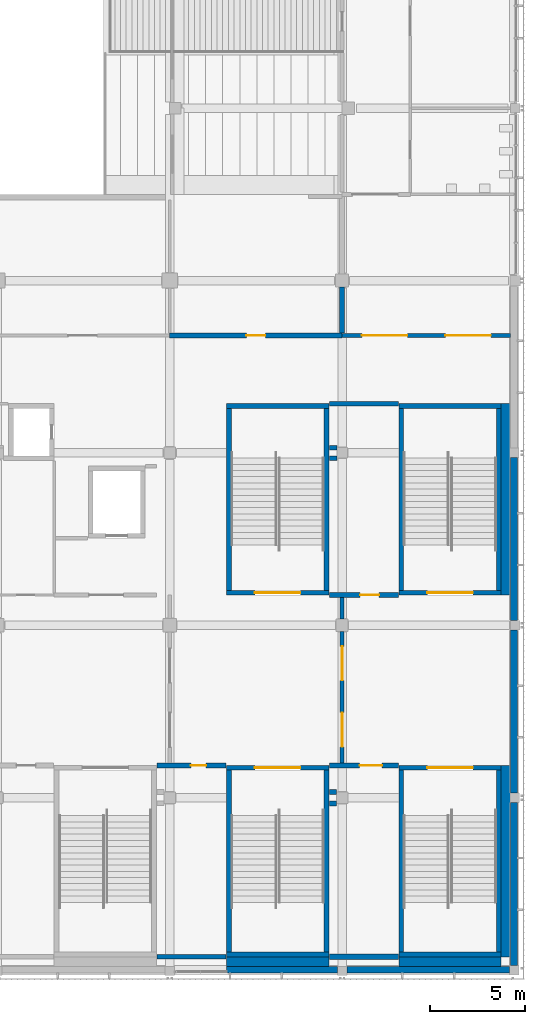
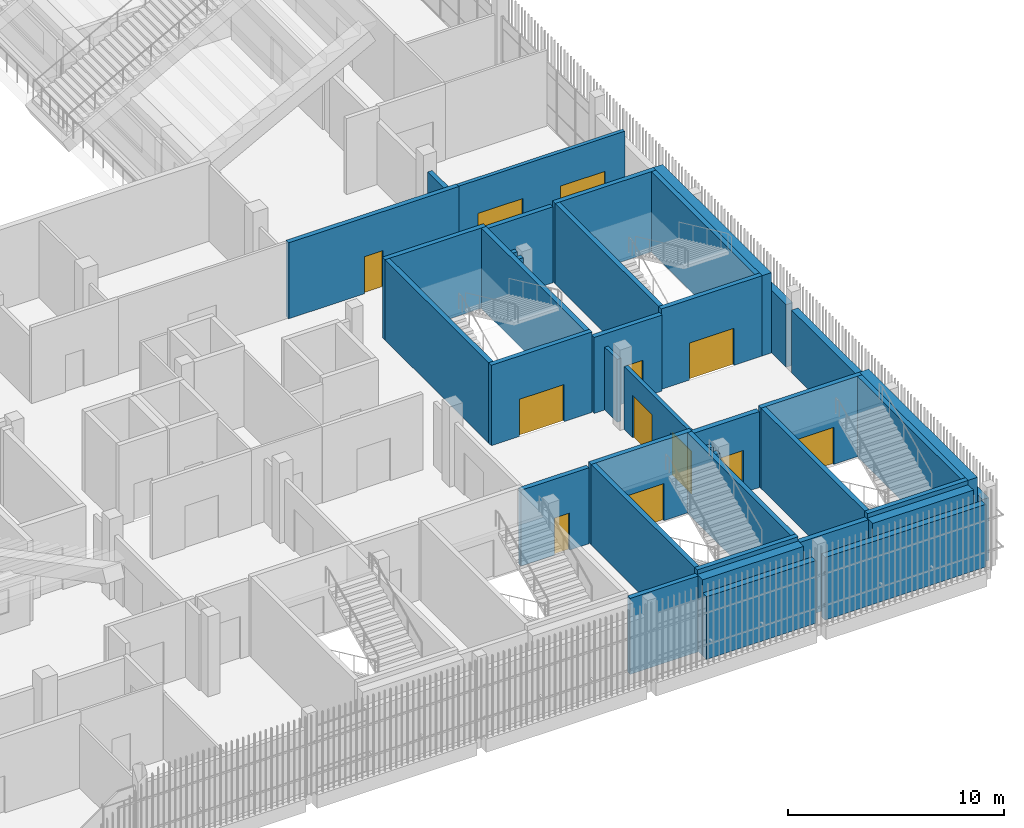
# One storey, part 89 of 139: 40 walls, 12 doors, 12 openings.
"""IFC4 building model written with IfcOpenShell, lengths in metres."""

from ifc_helpers import new_model, si_unit, direction, frame, frame_2d, origin, place, context, subcontext, project, spatial, rectangle, extrude, material, layer, layer_set, type_object, element, fill, save


model = new_model("IFC4")

# Units and contexts
model_context = context("Model", 3, precision=1e-05, world=origin(), true_north=direction((0.0, 1.0)))
body_context = subcontext(model_context, "Body", "Model", "MODEL_VIEW")
ifc_project = project(units=[si_unit("LENGTHUNIT", "METRE"), si_unit("AREAUNIT", "SQUARE_METRE"), si_unit("VOLUMEUNIT", "CUBIC_METRE"), si_unit("PLANEANGLEUNIT", "RADIAN"), si_unit("MASSUNIT", "GRAM", prefix="KILO")], contexts=[model_context])

# Site, building, storey
site_placement = place(None, origin())
site = spatial("IfcSite", under=ifc_project, at=site_placement, CompositionType="ELEMENT")
building_placement = place(site_placement, origin())
building = spatial("IfcBuilding", under=site, at=building_placement, Name="Shirokan Park Arena", CompositionType="ELEMENT")
storey_placement = place(building_placement, frame((0.0, 0.0, 15.469970703125)))
storey = spatial("IfcBuildingStorey", under=building, at=storey_placement, Name="L03", CompositionType="ELEMENT", Elevation=15.469970703125)

# Wall, opening, door
ifc_material_1 = material(Name="Plaster")
ifc_layer_1 = layer(ifc_material_1, 0.014892578125, Name="Plaster")
ifc_material_2 = material(Name="Concrete blockwork", Category="masonry")
ifc_layer_2 = layer(ifc_material_2, 0.219970703125, Name="Concrete blockwork 220")
ifc_layer_3 = layer(ifc_material_1, 0.014892578125, Name="Plaster")
ifc_layer_set_1 = layer_set([ifc_layer_1, ifc_layer_2, ifc_layer_3], Name="Plaster + Concrete blockwork 220")
wall_type_1 = type_object("IfcWallType", Name="Compartment wall 250", PredefinedType="SOLIDWALL", material=ifc_layer_set_1)
wall_1_placement = place(storey_placement, frame((126.72998046875, 10.800048828125, 0.0), z_axis=(0.0, 0.0, 1.0), x_axis=(1.0, 0.0, 0.0)))
wall_1 = element("IfcWall", 1, at=wall_1_placement, inside=storey, type_object=wall_type_1, Name="Compartment wall 250 L03", PredefinedType="SOLIDWALL", context=body_context, shape_type="SweptSolid", body=[
    extrude(rectangle(XDim=3.64013671875, YDim=0.25, at=frame_2d((1.820068359375, 0.0))), origin(), (0.0, 0.0, 1.0), 4.300048828125),
])
opening_1_placement = place(wall_1_placement, frame((1.7900390625, 0.0, 0.0)))
opening_1 = element("IfcOpeningElement", 2, at=opening_1_placement, cuts=wall_1, Name="Opening D-3017", PredefinedType="OPENING", context=body_context, shape_type="SweptSolid", body=[
    extrude(rectangle(XDim=0.800048828125, YDim=2.10009765625, at=frame_2d((0.39990234375, 1.050048828125))), frame((0.0, 0.135009765625, 0.0), z_axis=(0.0, -1.0, 0.0), x_axis=(1.0, 0.0, 0.0)), (0.0, 0.0, 1.0), 0.27001953125),
])
ifc_material_3 = material(Name="Timber door set, fire resisting", Category="wood")
door_type_1 = type_object("IfcDoorType", Name="Cleaner store door 800 x 2100", OperationType="SINGLE_SWING_LEFT", PredefinedType="DOOR", material=ifc_material_3)
door_1_placement = place(opening_1_placement, origin())
door_1 = element("IfcDoor", 3, at=door_1_placement, inside=storey, type_object=door_type_1, Name="Door to Cleaner's Store 3.21 D-3017", OperationType="SINGLE_SWING_RIGHT", OverallHeight=2.10009765625, OverallWidth=0.800048828125, PredefinedType="DOOR", context=body_context, shape_type="SweptSolid", body=[
    extrude(rectangle(XDim=0.800048828125, YDim=2.10009765625, at=frame_2d((0.39990234375, 1.050048828125))), frame((0.0, 0.02490234375, 0.0), z_axis=(0.0, -1.0, 0.0), x_axis=(1.0, 0.0, 0.0)), (0.0, 0.0, 1.0), 0.050048828125),
])
fill(opening_1, door_1)

# Wall
wall_2_placement = place(storey_placement, frame((130.3701171875, 0.699951171875, 0.0), z_axis=(0.0, 0.0, 1.0), x_axis=(-1.0, 0.0, 0.0)))
element("IfcWall", 4, at=wall_2_placement, inside=storey, type_object=wall_type_1, Name="Compartment wall 250 L03", PredefinedType="SOLIDWALL", context=body_context, shape_type="SweptSolid", body=[
    extrude(rectangle(XDim=3.64013671875, YDim=0.25, at=frame_2d((1.820068359375, 0.0))), origin(), (0.0, 0.0, 1.0), 4.300048828125),
])

# Wall, opening, door
wall_3_placement = place(storey_placement, frame((135.830078125, 19.800048828125, 0.0), z_axis=(0.0, 0.0, 1.0), x_axis=(1.0, 0.0, 0.0)))
wall_3 = element("IfcWall", 5, at=wall_3_placement, inside=storey, type_object=wall_type_1, Name="Compartment wall 250 L03", PredefinedType="SOLIDWALL", context=body_context, shape_type="SweptSolid", body=[
    extrude(rectangle(XDim=3.639892578125, YDim=0.25, at=frame_2d((1.81982421875, 0.0))), origin(), (0.0, 0.0, 1.0), 4.300048828125),
])
opening_2_placement = place(wall_3_placement, frame((1.6201171875, 0.0, 0.0)))
opening_2 = element("IfcOpeningElement", 6, at=opening_2_placement, cuts=wall_3, Name="Opening D-3013", PredefinedType="OPENING", context=body_context, shape_type="SweptSolid", body=[
    extrude(rectangle(XDim=1.0, YDim=2.10009765625, at=frame_2d((0.5, 1.050048828125))), frame((0.0, 0.135009765625, 0.0), z_axis=(0.0, -1.0, 0.0), x_axis=(1.0, 0.0, 0.0)), (0.0, 0.0, 1.0), 0.27001953125),
])
door_type_2 = type_object("IfcDoorType", Name="Door 1000 x 2100", OperationType="SINGLE_SWING_LEFT", PredefinedType="DOOR", material=ifc_material_3)
door_2_placement = place(opening_2_placement, origin())
door_2 = element("IfcDoor", 7, at=door_2_placement, inside=storey, type_object=door_type_2, Name="Door to Suite Store 3.27 D-3013", OperationType="SINGLE_SWING_RIGHT", OverallHeight=2.10009765625, OverallWidth=1.0, PredefinedType="DOOR", context=body_context, shape_type="SweptSolid", body=[
    extrude(rectangle(XDim=1.0, YDim=2.10009765625, at=frame_2d((0.5, 1.050048828125))), frame((0.0, 0.02490234375, 0.0), z_axis=(0.0, -1.0, 0.0), x_axis=(1.0, 0.0, 0.0)), (0.0, 0.0, 1.0), 0.050048828125),
])
fill(opening_2, door_2)

# Walls
wall_4_placement = place(storey_placement, frame((135.830078125, 27.02490234375, 0.0), z_axis=(0.0, 0.0, 1.0), x_axis=(1.0, 0.0, 0.0)))
element("IfcWall", 8, at=wall_4_placement, inside=storey, type_object=wall_type_1, Name="Compartment wall 250 L03", PredefinedType="SOLIDWALL", context=body_context, shape_type="SweptSolid", body=[
    extrude(rectangle(XDim=0.39501953125, YDim=0.25, at=frame_2d((0.197509765625, 0.0))), origin(), (0.0, 0.0, 1.0), 4.300048828125),
])
wall_5_placement = place(storey_placement, frame((135.830078125, 29.89990234375, 0.0), z_axis=(0.0, 0.0, 1.0), x_axis=(1.0, 0.0, 0.0)))
element("IfcWall", 9, at=wall_5_placement, inside=storey, type_object=wall_type_1, Name="Compartment wall 250 L03", PredefinedType="SOLIDWALL", context=body_context, shape_type="SweptSolid", body=[
    extrude(rectangle(XDim=3.639892578125, YDim=0.25, at=frame_2d((1.81982421875, 0.0))), origin(), (0.0, 0.0, 1.0), 4.300048828125),
])
wall_6_placement = place(storey_placement, frame((136.22509765625, 27.574951171875, 0.0), z_axis=(0.0, 0.0, 1.0), x_axis=(-1.0, 0.0, 0.0)))
element("IfcWall", 10, at=wall_6_placement, inside=storey, type_object=wall_type_1, Name="Compartment wall 250 L03", PredefinedType="SOLIDWALL", context=body_context, shape_type="SweptSolid", body=[
    extrude(rectangle(XDim=0.39501953125, YDim=0.25, at=frame_2d((0.197509765625, 0.0))), origin(), (0.0, 0.0, 1.0), 4.300048828125),
])

# Wall, opening, door
wall_7_placement = place(storey_placement, frame((136.5, 33.5, 0.0), z_axis=(0.0, 0.0, 1.0), x_axis=(-1.0, 0.0, 0.0)))
wall_7 = element("IfcWall", 11, at=wall_7_placement, inside=storey, type_object=wall_type_1, Name="Compartment wall 250 L03", PredefinedType="SOLIDWALL", context=body_context, shape_type="SweptSolid", body=[
    extrude(rectangle(XDim=9.10009765625, YDim=0.25, at=frame_2d((4.550048828125, 0.0))), origin(), (0.0, 0.0, 1.0), 4.300048828125),
])
opening_3_placement = place(wall_7_placement, frame((4.050048828125, 0.0, 0.0)))
opening_3 = element("IfcOpeningElement", 12, at=opening_3_placement, cuts=wall_7, Name="Opening D-3019", PredefinedType="OPENING", context=body_context, shape_type="SweptSolid", body=[
    extrude(rectangle(XDim=1.0, YDim=2.10009765625, at=frame_2d((0.5, 1.050048828125))), frame((0.0, 0.135009765625, 0.0), z_axis=(0.0, -1.0, 0.0), x_axis=(1.0, 0.0, 0.0)), (0.0, 0.0, 1.0), 0.27001953125),
])
door_3_placement = place(opening_3_placement, origin())
door_3 = element("IfcDoor", 13, at=door_3_placement, inside=storey, type_object=door_type_2, Name="Door to Suite Beverage Store 3.21 D-3019", OperationType="SINGLE_SWING_RIGHT", OverallHeight=2.10009765625, OverallWidth=1.0, PredefinedType="DOOR", context=body_context, shape_type="SweptSolid", body=[
    extrude(rectangle(XDim=1.0, YDim=2.10009765625, at=frame_2d((0.5, 1.050048828125))), frame((0.0, 0.02490234375, 0.0), z_axis=(0.0, -1.0, 0.0), x_axis=(1.0, 0.0, 0.0)), (0.0, 0.0, 1.0), 0.050048828125),
])
fill(opening_3, door_3)

# Wall
wall_8_placement = place(storey_placement, frame((136.5, 36.050048828125, 0.0), z_axis=(0.0, 0.0, 1.0), x_axis=(0.0, -1.0, 0.0)))
element("IfcWall", 14, at=wall_8_placement, inside=storey, type_object=wall_type_1, Name="Compartment wall 250 L03", PredefinedType="SOLIDWALL", context=body_context, shape_type="SweptSolid", body=[
    extrude(rectangle(XDim=2.425048828125, YDim=0.25, at=frame_2d((1.21240234375, 0.0))), origin(), (0.0, 0.0, 1.0), 3.550048828125),
])

# Wall, openings, doors
ifc_material_4 = material(Name="Gypsum board")
ifc_layer_4 = layer(ifc_material_4, 0.02490234375, Name="Gypsum board, two layers")
ifc_material_5 = material(Name="Mineral wool insulation")
ifc_layer_5 = layer(ifc_material_5, 0.14990234375, Name="Mineral wool insulation")
ifc_layer_6 = layer(ifc_material_4, 0.02490234375, Name="Gypsum board, two layers")
ifc_layer_set_2 = layer_set([ifc_layer_4, ifc_layer_5, ifc_layer_6], Name="Gypsum board, two layers + Mineral wool insulation")
wall_type_2 = type_object("IfcWallType", Name="Corridor wall 200", PredefinedType="PARTITIONING", material=ifc_layer_set_2)
wall_9_placement = place(storey_placement, frame((136.5, 10.9375, 0.0), z_axis=(0.0, 0.0, 1.0), x_axis=(0.0, 1.0, 0.0)))
wall_9 = element("IfcWall", 15, at=wall_9_placement, inside=storey, type_object=wall_type_2, Name="Corridor wall 200 L03", PredefinedType="PARTITIONING", context=body_context, shape_type="SweptSolid", body=[
    extrude(rectangle(XDim=6.9375, YDim=0.199951171875, at=frame_2d((3.46875, 0.0))), origin(), (0.0, 0.0, 1.0), 3.550048828125),
])
opening_4_placement = place(wall_9_placement, frame((0.85009765625, 0.0, 0.0)))
opening_4 = element("IfcOpeningElement", 16, at=opening_4_placement, cuts=wall_9, Name="Opening D-3098", PredefinedType="OPENING", context=body_context, shape_type="SweptSolid", body=[
    extrude(rectangle(XDim=1.800048828125, YDim=2.39990234375, at=frame_2d((0.89990234375, 1.199951171875))), frame((0.0, 0.10986328125, 0.0), z_axis=(0.0, -1.0, 0.0), x_axis=(1.0, 0.0, 0.0)), (0.0, 0.0, 1.0), 0.219970703125),
])
opening_5_placement = place(wall_9_placement, frame((4.35009765625, 0.0, 0.0)))
opening_5 = element("IfcOpeningElement", 17, at=opening_5_placement, cuts=wall_9, Name="Opening D-3099", PredefinedType="OPENING", context=body_context, shape_type="SweptSolid", body=[
    extrude(rectangle(XDim=1.800048828125, YDim=2.39990234375, at=frame_2d((0.89990234375, 1.199951171875))), frame((0.0, 0.10986328125, 0.0), z_axis=(0.0, -1.0, 0.0), x_axis=(1.0, 0.0, 0.0)), (0.0, 0.0, 1.0), 0.219970703125),
])
ifc_material_6 = material(Name="Glazed steel door set, fire resisting", Category="steel")
door_type_3 = type_object("IfcDoorType", Name="Lift lobby door 1800 x 2400", OperationType="DOUBLE_DOOR_SINGLE_SWING", PredefinedType="DOOR", material=ifc_material_6)
door_4_placement = place(opening_4_placement, origin())
door_4 = element("IfcDoor", 18, at=door_4_placement, inside=storey, type_object=door_type_3, Name="Door between Press Foyer 2.3.1 and Suite Lobby 2.3.2 D-3098", OperationType="DOUBLE_DOOR_SINGLE_SWING", OverallHeight=2.39990234375, OverallWidth=1.800048828125, PredefinedType="DOOR", context=body_context, shape_type="SweptSolid", body=[
    extrude(rectangle(XDim=1.800048828125, YDim=2.39990234375, at=frame_2d((0.89990234375, 1.199951171875))), frame((0.0, 0.02490234375, 0.0), z_axis=(0.0, -1.0, 0.0), x_axis=(1.0, 0.0, 0.0)), (0.0, 0.0, 1.0), 0.050048828125),
])
fill(opening_4, door_4)
door_5_placement = place(opening_5_placement, origin())
door_5 = element("IfcDoor", 19, at=door_5_placement, inside=storey, type_object=door_type_3, Name="Door between Press Foyer 2.3.1 and Suite Lobby 2.3.2 D-3099", OperationType="DOUBLE_DOOR_SINGLE_SWING", OverallHeight=2.39990234375, OverallWidth=1.800048828125, PredefinedType="DOOR", context=body_context, shape_type="SweptSolid", body=[
    extrude(rectangle(XDim=1.800048828125, YDim=2.39990234375, at=frame_2d((0.89990234375, 1.199951171875))), frame((0.0, 0.02490234375, 0.0), z_axis=(0.0, -1.0, 0.0), x_axis=(1.0, 0.0, 0.0)), (0.0, 0.0, 1.0), 0.050048828125),
])
fill(opening_5, door_5)

# Wall
wall_10_placement = place(storey_placement, frame((136.5, 18.52490234375, 0.0), z_axis=(0.0, 0.0, 1.0), x_axis=(0.0, 1.0, 0.0)))
element("IfcWall", 20, at=wall_10_placement, inside=storey, type_object=wall_type_2, Name="Corridor wall 200 L03", PredefinedType="PARTITIONING", context=body_context, shape_type="SweptSolid", body=[
    extrude(rectangle(XDim=1.150146484375, YDim=0.199951171875, at=frame_2d((0.5751953125, 0.0))), origin(), (0.0, 0.0, 1.0), 3.550048828125),
])

# Wall, openings, doors
wall_11_placement = place(storey_placement, frame((136.5, 33.5, 0.0), z_axis=(0.0, 0.0, 1.0), x_axis=(1.0, 0.0, 0.0)))
wall_11 = element("IfcWall", 21, at=wall_11_placement, inside=storey, type_object=wall_type_2, Name="Corridor wall 200 L03", PredefinedType="PARTITIONING", context=body_context, shape_type="SweptSolid", body=[
    extrude(rectangle(XDim=8.89990234375, YDim=0.199951171875, at=frame_2d((4.449951171875, 0.0))), origin(), (0.0, 0.0, 1.0), 4.300048828125),
])
opening_6_placement = place(wall_11_placement, frame((1.050048828125, 0.0, 0.0)))
opening_6 = element("IfcOpeningElement", 22, at=opening_6_placement, cuts=wall_11, Name="Opening D-3096", PredefinedType="OPENING", context=body_context, shape_type="SweptSolid", body=[
    extrude(rectangle(XDim=2.39990234375, YDim=2.39990234375, at=frame_2d((1.199951171875, 1.199951171875))), frame((0.0, 0.10986328125, 0.0), z_axis=(0.0, -1.0, 0.0), x_axis=(1.0, 0.0, 0.0)), (0.0, 0.0, 1.0), 0.219970703125),
])
opening_7_placement = place(wall_11_placement, frame((5.449951171875, 0.0, 0.0)))
opening_7 = element("IfcOpeningElement", 23, at=opening_7_placement, cuts=wall_11, Name="Opening D-3097", PredefinedType="OPENING", context=body_context, shape_type="SweptSolid", body=[
    extrude(rectangle(XDim=2.39990234375, YDim=2.39990234375, at=frame_2d((1.199951171875, 1.199951171875))), frame((0.0, 0.10986328125, 0.0), z_axis=(0.0, -1.0, 0.0), x_axis=(1.0, 0.0, 0.0)), (0.0, 0.0, 1.0), 0.219970703125),
])
ifc_material_7 = material(Name="Steel door set, fire resisting", Category="steel")
door_type_4 = type_object("IfcDoorType", Name="Double door 2400 x 2400", OperationType="DOUBLE_DOOR_SINGLE_SWING", PredefinedType="DOOR", material=ifc_material_7)
door_6_placement = place(opening_6_placement, origin())
door_6 = element("IfcDoor", 24, at=door_6_placement, inside=storey, type_object=door_type_4, Name="Door between Service Corridor 2.3 and Concourse Link 2.3 D-3096", OperationType="DOUBLE_DOOR_SINGLE_SWING", OverallHeight=2.39990234375, OverallWidth=2.39990234375, PredefinedType="DOOR", context=body_context, shape_type="SweptSolid", body=[
    extrude(rectangle(XDim=2.39990234375, YDim=2.39990234375, at=frame_2d((1.199951171875, 1.199951171875))), frame((0.0, 0.02490234375, 0.0), z_axis=(0.0, -1.0, 0.0), x_axis=(1.0, 0.0, 0.0)), (0.0, 0.0, 1.0), 0.050048828125),
])
fill(opening_6, door_6)
door_7_placement = place(opening_7_placement, origin())
door_7 = element("IfcDoor", 25, at=door_7_placement, inside=storey, type_object=door_type_4, Name="Door between Service Corridor 2.3 and Concourse Link 2.3 D-3097", OperationType="DOUBLE_DOOR_SINGLE_SWING", OverallHeight=2.39990234375, OverallWidth=2.39990234375, PredefinedType="DOOR", context=body_context, shape_type="SweptSolid", body=[
    extrude(rectangle(XDim=2.39990234375, YDim=2.39990234375, at=frame_2d((1.199951171875, 1.199951171875))), frame((0.0, 0.02490234375, 0.0), z_axis=(0.0, -1.0, 0.0), x_axis=(1.0, 0.0, 0.0)), (0.0, 0.0, 1.0), 0.050048828125),
])
fill(opening_7, door_7)

# Walls
ifc_material_8 = material(Name="Cedar cladding")
ifc_layer_7 = layer(ifc_material_8, 0.030029296875, Name="Cedar cladding")
ifc_layer_8 = layer(ifc_material_5, 0.10009765625, Name="Mineral wool insulation")
ifc_material_9 = material(Name="Concrete C35", Category="concrete")
ifc_layer_9 = layer(ifc_material_9, 0.199951171875, Name="Concrete C35")
ifc_material_10 = material(Name="Gypsum board lining")
ifc_layer_10 = layer(ifc_material_10, 0.02001953125, Name="Gypsum board lining")
ifc_layer_set_3 = layer_set([ifc_layer_7, ifc_layer_8, ifc_layer_9, ifc_layer_10], Name="Cedar cladding + Mineral wool insulation + Concrete C35 + Gypsum board lining")
wall_type_3 = type_object("IfcWallType", Name="Insulated tower wall 350", PredefinedType="SOLIDWALL", material=ifc_layer_set_3)
wall_12_placement = place(storey_placement, frame((130.39990234375, 0.02490234375, 0.0), z_axis=(0.0, 0.0, 1.0), x_axis=(1.0, 0.0, 0.0)))
element("IfcWall", 26, at=wall_12_placement, inside=storey, type_object=wall_type_3, Name="South facade wall bay 15 L03", PredefinedType="SOLIDWALL", context=body_context, shape_type="SweptSolid", body=[
    extrude(rectangle(XDim=5.85009765625, YDim=0.35009765625, at=frame_2d((2.925048828125, 0.0))), origin(), (0.0, 0.0, 1.0), 3.550048828125),
])
for number, where, z_axis, x_axis, name in (
    (27, (136.75, 0.02490234375, 0.0), (0.0, 0.0, 1.0), (1.0, 0.0, 0.0), "South facade wall bay 16 L03"),
    (28, (145.574951171875, 0.25, 0.0), (0.0, 0.0, 1.0), (0.0, 1.0, 0.0), "East facade wall bay 1 L03"),
):
    element("IfcWall", number, at=place(storey_placement, frame(where, z_axis=z_axis, x_axis=x_axis)), inside=storey, type_object=wall_type_3, Name=name, PredefinedType="SOLIDWALL", context=body_context, shape_type="SweptSolid", body=[
        extrude(rectangle(XDim=8.60009765625, YDim=0.35009765625, at=frame_2d((4.300048828125, 0.0))), origin(), (0.0, 0.0, 1.0), 3.550048828125),
    ])
wall_13_placement = place(storey_placement, frame((145.574951171875, 9.35009765625, 0.0), z_axis=(0.0, 0.0, 1.0), x_axis=(0.0, 1.0, 0.0)))
element("IfcWall", 29, at=wall_13_placement, inside=storey, type_object=wall_type_3, Name="East facade wall bay 2 L03", PredefinedType="SOLIDWALL", context=body_context, shape_type="SweptSolid", body=[
    extrude(rectangle(XDim=8.599853515625, YDim=0.35009765625, at=frame_2d((4.2998046875, 0.0))), origin(), (0.0, 0.0, 1.0), 3.550048828125),
])
wall_14_placement = place(storey_placement, frame((145.574951171875, 18.449951171875, 0.0), z_axis=(0.0, 0.0, 1.0), x_axis=(0.0, 1.0, 0.0)))
element("IfcWall", 30, at=wall_14_placement, inside=storey, type_object=wall_type_3, Name="East facade wall bay 3 L03", PredefinedType="SOLIDWALL", context=body_context, shape_type="SweptSolid", body=[
    extrude(rectangle(XDim=8.60009765625, YDim=0.35009765625, at=frame_2d((4.300048828125, 0.0))), origin(), (0.0, 0.0, 1.0), 3.550048828125),
])
ifc_layer_11 = layer(ifc_material_1, 0.012451171875, Name="Plaster")
ifc_layer_12 = layer(ifc_material_2, 0.25, Name="Concrete blockwork 250")
ifc_layer_13 = layer(ifc_material_1, 0.012451171875, Name="Plaster")
ifc_layer_set_4 = layer_set([ifc_layer_11, ifc_layer_12, ifc_layer_13], Name="Plaster + Concrete blockwork 250")
wall_type_4 = type_object("IfcWallType", Name="Plant room wall 275", PredefinedType="SOLIDWALL", material=ifc_layer_set_4)
for number, where, z_axis, x_axis, name in (
    (31, (135.830078125, 8.800048828125, 0.0), (0.0, 0.0, 1.0), (1.0, 0.0, 0.0), "Plant room wall 275 L03"),
    (32, (136.199951171875, 9.39990234375, 0.0), (0.0, 0.0, 1.0), (-1.0, 0.0, 0.0), "Plant room wall 275 L03"),
):
    element("IfcWall", number, at=place(storey_placement, frame(where, z_axis=z_axis, x_axis=x_axis)), inside=storey, type_object=wall_type_4, Name=name, PredefinedType="SOLIDWALL", context=body_context, shape_type="SweptSolid", body=[
        extrude(rectangle(XDim=0.369873046875, YDim=0.27490234375, at=frame_2d((0.18505859375, 0.0))), origin(), (0.0, 0.0, 1.0), 4.300048828125),
    ])

# Wall, opening, door
wall_15_placement = place(storey_placement, frame((135.830078125, 10.800048828125, 0.0), z_axis=(0.0, 0.0, 1.0), x_axis=(1.0, 0.0, 0.0)))
wall_15 = element("IfcWall", 33, at=wall_15_placement, inside=storey, type_object=wall_type_4, Name="Plant room wall 275 L03", PredefinedType="SOLIDWALL", context=body_context, shape_type="SweptSolid", body=[
    extrude(rectangle(XDim=3.639892578125, YDim=0.27490234375, at=frame_2d((1.81982421875, 0.0))), origin(), (0.0, 0.0, 1.0), 4.300048828125),
])
opening_8_placement = place(wall_15_placement, frame((1.590087890625, 0.0, 0.0)))
opening_8 = element("IfcOpeningElement", 34, at=opening_8_placement, cuts=wall_15, Name="Opening D-3016", PredefinedType="OPENING", context=body_context, shape_type="SweptSolid", body=[
    extrude(rectangle(XDim=1.199951171875, YDim=2.39990234375, at=frame_2d((0.60009765625, 1.199951171875))), frame((0.0, 0.1474609375, 0.0), z_axis=(0.0, -1.0, 0.0), x_axis=(1.0, 0.0, 0.0)), (0.0, 0.0, 1.0), 0.294921875),
])
ifc_material_11 = material(Name="Louvred steel door set, fire resisting", Category="steel")
door_type_5 = type_object("IfcDoorType", Name="Plant room door 1200 x 2400", OperationType="SINGLE_SWING_LEFT", PredefinedType="DOOR", material=ifc_material_11)
door_8_placement = place(opening_8_placement, origin())
door_8 = element("IfcDoor", 35, at=door_8_placement, inside=storey, type_object=door_type_5, Name="Door to Server Room 3.20 D-3016", OperationType="SINGLE_SWING_RIGHT", OverallHeight=2.39990234375, OverallWidth=1.199951171875, PredefinedType="DOOR", context=body_context, shape_type="SweptSolid", body=[
    extrude(rectangle(XDim=1.199951171875, YDim=2.39990234375, at=frame_2d((0.60009765625, 1.199951171875))), frame((0.0, 0.02490234375, 0.0), z_axis=(0.0, -1.0, 0.0), x_axis=(1.0, 0.0, 0.0)), (0.0, 0.0, 1.0), 0.050048828125),
])
fill(opening_8, door_8)

# Walls
wall_16_placement = place(storey_placement, frame((139.469970703125, 0.699951171875, 0.0), z_axis=(0.0, 0.0, 1.0), x_axis=(-1.0, 0.0, 0.0)))
element("IfcWall", 36, at=wall_16_placement, inside=storey, type_object=wall_type_4, Name="Plant room wall 275 L03", PredefinedType="SOLIDWALL", context=body_context, shape_type="SweptSolid", body=[
    extrude(rectangle(XDim=3.639892578125, YDim=0.27490234375, at=frame_2d((1.81982421875, 0.0))), origin(), (0.0, 0.0, 1.0), 4.300048828125),
])
ifc_material_12 = material(Name="Concrete C40/50", Category="concrete")
ifc_layer_14 = layer(ifc_material_12, 0.25)
ifc_layer_set_5 = layer_set([ifc_layer_14], Name="Concrete C40/50 250 mm")
wall_type_5 = type_object("IfcWallType", Name="RC shear wall 250", PredefinedType="SHEAR", material=ifc_layer_set_5)
wall_17_placement = place(storey_placement, frame((144.89990234375, 0.824951171875, 0.0), z_axis=(0.0, 0.0, 1.0), x_axis=(-1.0, 0.0, 0.0)))
element("IfcWall", 37, at=wall_17_placement, inside=storey, type_object=wall_type_5, Name="Shaft wall Exit Stair 2.A S L03", PredefinedType="SHEAR", context=body_context, shape_type="SweptSolid", body=[
    extrude(rectangle(XDim=5.39990234375, YDim=0.25, at=frame_2d((2.699951171875, 0.0))), origin(), (0.0, 0.0, 1.0), 4.550048828125),
])

# Wall, opening, door
wall_18_placement = place(storey_placement, frame((144.89990234375, 10.675048828125, 0.0), z_axis=(0.0, 0.0, 1.0), x_axis=(-1.0, 0.0, 0.0)))
wall_18 = element("IfcWall", 38, at=wall_18_placement, inside=storey, type_object=wall_type_5, Name="Shaft wall Exit Stair 2.A N L03", PredefinedType="SHEAR", context=body_context, shape_type="SweptSolid", body=[
    extrude(rectangle(XDim=5.39990234375, YDim=0.25, at=frame_2d((2.699951171875, 0.0))), origin(), (0.0, 0.0, 1.0), 4.550048828125),
])
opening_9_placement = place(wall_18_placement, frame((1.5, 0.0, 0.0)))
opening_9 = element("IfcOpeningElement", 39, at=opening_9_placement, cuts=wall_18, Name="Opening D-3149", PredefinedType="OPENING", context=body_context, shape_type="SweptSolid", body=[
    extrude(rectangle(XDim=2.39990234375, YDim=2.10009765625, at=frame_2d((1.199951171875, 1.050048828125))), frame((0.0, 0.135009765625, 0.0), z_axis=(0.0, -1.0, 0.0), x_axis=(1.0, 0.0, 0.0)), (0.0, 0.0, 1.0), 0.27001953125),
])
door_type_6 = type_object("IfcDoorType", Name="Stair door 2400 x 2100", OperationType="DOUBLE_DOOR_SINGLE_SWING", PredefinedType="DOOR", material=ifc_material_7)
door_9_placement = place(opening_9_placement, origin())
door_9 = element("IfcDoor", 40, at=door_9_placement, inside=storey, type_object=door_type_6, Name="Stair door Exit Stair 2.A D-3149", OperationType="DOUBLE_DOOR_SINGLE_SWING", OverallHeight=2.10009765625, OverallWidth=2.39990234375, PredefinedType="DOOR", context=body_context, shape_type="SweptSolid", body=[
    extrude(rectangle(XDim=2.39990234375, YDim=2.10009765625, at=frame_2d((1.199951171875, 1.050048828125))), frame((0.0, 0.02490234375, 0.0), z_axis=(0.0, -1.0, 0.0), x_axis=(1.0, 0.0, 0.0)), (0.0, 0.0, 1.0), 0.050048828125),
])
fill(opening_9, door_9)

# Walls
for number, where, z_axis, x_axis, name in (
    (41, (139.625, 10.550048828125, 0.0), (0.0, 0.0, 1.0), (0.0, -1.0, 0.0), "Shaft wall Exit Stair 2.A W L03"),
    (42, (144.77490234375, 10.550048828125, 0.0), (0.0, 0.0, 1.0), (0.0, -1.0, 0.0), "Shaft wall Exit Stair 2.A E L03"),
):
    element("IfcWall", number, at=place(storey_placement, frame(where, z_axis=z_axis, x_axis=x_axis)), inside=storey, type_object=wall_type_5, Name=name, PredefinedType="SHEAR", context=body_context, shape_type="SweptSolid", body=[
        extrude(rectangle(XDim=9.60009765625, YDim=0.25, at=frame_2d((4.800048828125, 0.0))), origin(), (0.0, 0.0, 1.0), 4.550048828125),
    ])
wall_19_placement = place(storey_placement, frame((135.800048828125, 0.824951171875, 0.0), z_axis=(0.0, 0.0, 1.0), x_axis=(-1.0, 0.0, 0.0)))
element("IfcWall", 43, at=wall_19_placement, inside=storey, type_object=wall_type_5, Name="Shaft wall Exit Stair 2.B S L03", PredefinedType="SHEAR", context=body_context, shape_type="SweptSolid", body=[
    extrude(rectangle(XDim=5.400146484375, YDim=0.25, at=frame_2d((2.7001953125, 0.0))), origin(), (0.0, 0.0, 1.0), 4.550048828125),
])

# Wall, opening, door
wall_20_placement = place(storey_placement, frame((135.800048828125, 10.675048828125, 0.0), z_axis=(0.0, 0.0, 1.0), x_axis=(-1.0, 0.0, 0.0)))
wall_20 = element("IfcWall", 44, at=wall_20_placement, inside=storey, type_object=wall_type_5, Name="Shaft wall Exit Stair 2.B N L03", PredefinedType="SHEAR", context=body_context, shape_type="SweptSolid", body=[
    extrude(rectangle(XDim=5.400146484375, YDim=0.25, at=frame_2d((2.7001953125, 0.0))), origin(), (0.0, 0.0, 1.0), 4.550048828125),
])
opening_10_placement = place(wall_20_placement, frame((1.5, 0.0, 0.0)))
opening_10 = element("IfcOpeningElement", 45, at=opening_10_placement, cuts=wall_20, Name="Opening D-3150", PredefinedType="OPENING", context=body_context, shape_type="SweptSolid", body=[
    extrude(rectangle(XDim=2.39990234375, YDim=2.10009765625, at=frame_2d((1.199951171875, 1.050048828125))), frame((0.0, 0.135009765625, 0.0), z_axis=(0.0, -1.0, 0.0), x_axis=(1.0, 0.0, 0.0)), (0.0, 0.0, 1.0), 0.27001953125),
])
door_10_placement = place(opening_10_placement, origin())
door_10 = element("IfcDoor", 46, at=door_10_placement, inside=storey, type_object=door_type_6, Name="Stair door Exit Stair 2.B D-3150", OperationType="DOUBLE_DOOR_SINGLE_SWING", OverallHeight=2.10009765625, OverallWidth=2.39990234375, PredefinedType="DOOR", context=body_context, shape_type="SweptSolid", body=[
    extrude(rectangle(XDim=2.39990234375, YDim=2.10009765625, at=frame_2d((1.199951171875, 1.050048828125))), frame((0.0, 0.02490234375, 0.0), z_axis=(0.0, -1.0, 0.0), x_axis=(1.0, 0.0, 0.0)), (0.0, 0.0, 1.0), 0.050048828125),
])
fill(opening_10, door_10)

# Walls
for number, where, z_axis, x_axis, name in (
    (47, (130.52490234375, 10.550048828125, 0.0), (0.0, 0.0, 1.0), (0.0, -1.0, 0.0), "Shaft wall Exit Stair 2.B W L03"),
    (48, (135.675048828125, 10.550048828125, 0.0), (0.0, 0.0, 1.0), (0.0, -1.0, 0.0), "Shaft wall Exit Stair 2.B E L03"),
):
    element("IfcWall", number, at=place(storey_placement, frame(where, z_axis=z_axis, x_axis=x_axis)), inside=storey, type_object=wall_type_5, Name=name, PredefinedType="SHEAR", context=body_context, shape_type="SweptSolid", body=[
        extrude(rectangle(XDim=9.60009765625, YDim=0.25, at=frame_2d((4.800048828125, 0.0))), origin(), (0.0, 0.0, 1.0), 4.550048828125),
    ])

# Wall, opening, door
wall_21_placement = place(storey_placement, frame((144.89990234375, 19.925048828125, 0.0), z_axis=(0.0, 0.0, 1.0), x_axis=(-1.0, 0.0, 0.0)))
wall_21 = element("IfcWall", 49, at=wall_21_placement, inside=storey, type_object=wall_type_5, Name="Shaft wall Exit Stair 2.E S L03", PredefinedType="SHEAR", context=body_context, shape_type="SweptSolid", body=[
    extrude(rectangle(XDim=5.39990234375, YDim=0.25, at=frame_2d((2.699951171875, 0.0))), origin(), (0.0, 0.0, 1.0), 4.550048828125),
])
opening_11_placement = place(wall_21_placement, frame((1.5, 0.0, 0.0)))
opening_11 = element("IfcOpeningElement", 50, at=opening_11_placement, cuts=wall_21, Name="Opening D-3153", PredefinedType="OPENING", context=body_context, shape_type="SweptSolid", body=[
    extrude(rectangle(XDim=2.39990234375, YDim=2.10009765625, at=frame_2d((1.199951171875, 1.050048828125))), frame((0.0, 0.135009765625, 0.0), z_axis=(0.0, -1.0, 0.0), x_axis=(1.0, 0.0, 0.0)), (0.0, 0.0, 1.0), 0.27001953125),
])
door_11_placement = place(opening_11_placement, origin())
door_11 = element("IfcDoor", 51, at=door_11_placement, inside=storey, type_object=door_type_6, Name="Stair door Exit Stair 2.E D-3153", OperationType="DOUBLE_DOOR_SINGLE_SWING", OverallHeight=2.10009765625, OverallWidth=2.39990234375, PredefinedType="DOOR", context=body_context, shape_type="SweptSolid", body=[
    extrude(rectangle(XDim=2.39990234375, YDim=2.10009765625, at=frame_2d((1.199951171875, 1.050048828125))), frame((0.0, 0.02490234375, 0.0), z_axis=(0.0, -1.0, 0.0), x_axis=(1.0, 0.0, 0.0)), (0.0, 0.0, 1.0), 0.050048828125),
])
fill(opening_11, door_11)

# Walls
wall_22_placement = place(storey_placement, frame((144.89990234375, 29.77490234375, 0.0), z_axis=(0.0, 0.0, 1.0), x_axis=(-1.0, 0.0, 0.0)))
element("IfcWall", 52, at=wall_22_placement, inside=storey, type_object=wall_type_5, Name="Shaft wall Exit Stair 2.E N L03", PredefinedType="SHEAR", context=body_context, shape_type="SweptSolid", body=[
    extrude(rectangle(XDim=5.39990234375, YDim=0.25, at=frame_2d((2.699951171875, 0.0))), origin(), (0.0, 0.0, 1.0), 4.550048828125),
])
for number, where, z_axis, x_axis, name in (
    (53, (139.625, 29.64990234375, 0.0), (0.0, 0.0, 1.0), (0.0, -1.0, 0.0), "Shaft wall Exit Stair 2.E W L03"),
    (54, (144.77490234375, 29.64990234375, 0.0), (0.0, 0.0, 1.0), (0.0, -1.0, 0.0), "Shaft wall Exit Stair 2.E E L03"),
):
    element("IfcWall", number, at=place(storey_placement, frame(where, z_axis=z_axis, x_axis=x_axis)), inside=storey, type_object=wall_type_5, Name=name, PredefinedType="SHEAR", context=body_context, shape_type="SweptSolid", body=[
        extrude(rectangle(XDim=9.599853515625, YDim=0.25, at=frame_2d((4.7998046875, 0.0))), origin(), (0.0, 0.0, 1.0), 4.550048828125),
    ])

# Wall, opening, door
wall_23_placement = place(storey_placement, frame((135.800048828125, 19.925048828125, 0.0), z_axis=(0.0, 0.0, 1.0), x_axis=(-1.0, 0.0, 0.0)))
wall_23 = element("IfcWall", 55, at=wall_23_placement, inside=storey, type_object=wall_type_5, Name="Shaft wall Exit Stair 2.F S L03", PredefinedType="SHEAR", context=body_context, shape_type="SweptSolid", body=[
    extrude(rectangle(XDim=5.400146484375, YDim=0.25, at=frame_2d((2.7001953125, 0.0))), origin(), (0.0, 0.0, 1.0), 4.550048828125),
])
opening_12_placement = place(wall_23_placement, frame((1.5, 0.0, 0.0)))
opening_12 = element("IfcOpeningElement", 56, at=opening_12_placement, cuts=wall_23, Name="Opening D-3154", PredefinedType="OPENING", context=body_context, shape_type="SweptSolid", body=[
    extrude(rectangle(XDim=2.39990234375, YDim=2.10009765625, at=frame_2d((1.199951171875, 1.050048828125))), frame((0.0, 0.135009765625, 0.0), z_axis=(0.0, -1.0, 0.0), x_axis=(1.0, 0.0, 0.0)), (0.0, 0.0, 1.0), 0.27001953125),
])
door_12_placement = place(opening_12_placement, origin())
door_12 = element("IfcDoor", 57, at=door_12_placement, inside=storey, type_object=door_type_6, Name="Stair door Exit Stair 2.F D-3154", OperationType="DOUBLE_DOOR_SINGLE_SWING", OverallHeight=2.10009765625, OverallWidth=2.39990234375, PredefinedType="DOOR", context=body_context, shape_type="SweptSolid", body=[
    extrude(rectangle(XDim=2.39990234375, YDim=2.10009765625, at=frame_2d((1.199951171875, 1.050048828125))), frame((0.0, 0.02490234375, 0.0), z_axis=(0.0, -1.0, 0.0), x_axis=(1.0, 0.0, 0.0)), (0.0, 0.0, 1.0), 0.050048828125),
])
fill(opening_12, door_12)

# Walls
wall_24_placement = place(storey_placement, frame((135.800048828125, 29.77490234375, 0.0), z_axis=(0.0, 0.0, 1.0), x_axis=(-1.0, 0.0, 0.0)))
element("IfcWall", 58, at=wall_24_placement, inside=storey, type_object=wall_type_5, Name="Shaft wall Exit Stair 2.F N L03", PredefinedType="SHEAR", context=body_context, shape_type="SweptSolid", body=[
    extrude(rectangle(XDim=5.400146484375, YDim=0.25, at=frame_2d((2.7001953125, 0.0))), origin(), (0.0, 0.0, 1.0), 4.550048828125),
])
for number, where, z_axis, x_axis, name in (
    (59, (130.52490234375, 29.64990234375, 0.0), (0.0, 0.0, 1.0), (0.0, -1.0, 0.0), "Shaft wall Exit Stair 2.F W L03"),
    (60, (135.675048828125, 29.64990234375, 0.0), (0.0, 0.0, 1.0), (0.0, -1.0, 0.0), "Shaft wall Exit Stair 2.F E L03"),
):
    element("IfcWall", number, at=place(storey_placement, frame(where, z_axis=z_axis, x_axis=x_axis)), inside=storey, type_object=wall_type_5, Name=name, PredefinedType="SHEAR", context=body_context, shape_type="SweptSolid", body=[
        extrude(rectangle(XDim=9.599853515625, YDim=0.25, at=frame_2d((4.7998046875, 0.0))), origin(), (0.0, 0.0, 1.0), 4.550048828125),
    ])
ifc_layer_15 = layer(ifc_material_9, 0.5)
ifc_layer_set_6 = layer_set([ifc_layer_15], Name="Concrete C35 500 mm")
wall_type_6 = type_object("IfcWallType", Name="Shaft infill wall 500", PredefinedType="SOLIDWALL", material=ifc_layer_set_6)
wall_25_placement = place(storey_placement, frame((139.5, 0.449951171875, 0.0), z_axis=(0.0, 0.0, 1.0), x_axis=(1.0, 0.0, 0.0)))
element("IfcWall", 61, at=wall_25_placement, inside=storey, type_object=wall_type_6, Name="Shaft infill wall L03", PredefinedType="SOLIDWALL", context=body_context, shape_type="SweptSolid", body=[
    extrude(rectangle(XDim=5.39990234375, YDim=0.5, at=frame_2d((2.699951171875, 0.0))), origin(), (0.0, 0.0, 1.0), 4.300048828125),
])
wall_26_placement = place(storey_placement, frame((145.14990234375, 0.699951171875, 0.0), z_axis=(0.0, 0.0, 1.0), x_axis=(0.0, 1.0, 0.0)))
element("IfcWall", 62, at=wall_26_placement, inside=storey, type_object=wall_type_6, Name="Shaft infill wall L03", PredefinedType="SOLIDWALL", context=body_context, shape_type="SweptSolid", body=[
    extrude(rectangle(XDim=10.10009765625, YDim=0.5, at=frame_2d((5.050048828125, 0.0))), origin(), (0.0, 0.0, 1.0), 4.550048828125),
])
wall_27_placement = place(storey_placement, frame((130.39990234375, 0.449951171875, 0.0), z_axis=(0.0, 0.0, 1.0), x_axis=(1.0, 0.0, 0.0)))
element("IfcWall", 63, at=wall_27_placement, inside=storey, type_object=wall_type_6, Name="Shaft infill wall L03", PredefinedType="SOLIDWALL", context=body_context, shape_type="SweptSolid", body=[
    extrude(rectangle(XDim=5.400146484375, YDim=0.5, at=frame_2d((2.7001953125, 0.0))), origin(), (0.0, 0.0, 1.0), 4.300048828125),
])
wall_28_placement = place(storey_placement, frame((145.14990234375, 19.800048828125, 0.0), z_axis=(0.0, 0.0, 1.0), x_axis=(0.0, 1.0, 0.0)))
element("IfcWall", 64, at=wall_28_placement, inside=storey, type_object=wall_type_6, Name="Shaft infill wall L03", PredefinedType="SOLIDWALL", context=body_context, shape_type="SweptSolid", body=[
    extrude(rectangle(XDim=10.099853515625, YDim=0.5, at=frame_2d((5.0498046875, 0.0))), origin(), (0.0, 0.0, 1.0), 4.550048828125),
])

save(model, "model.ifc")
